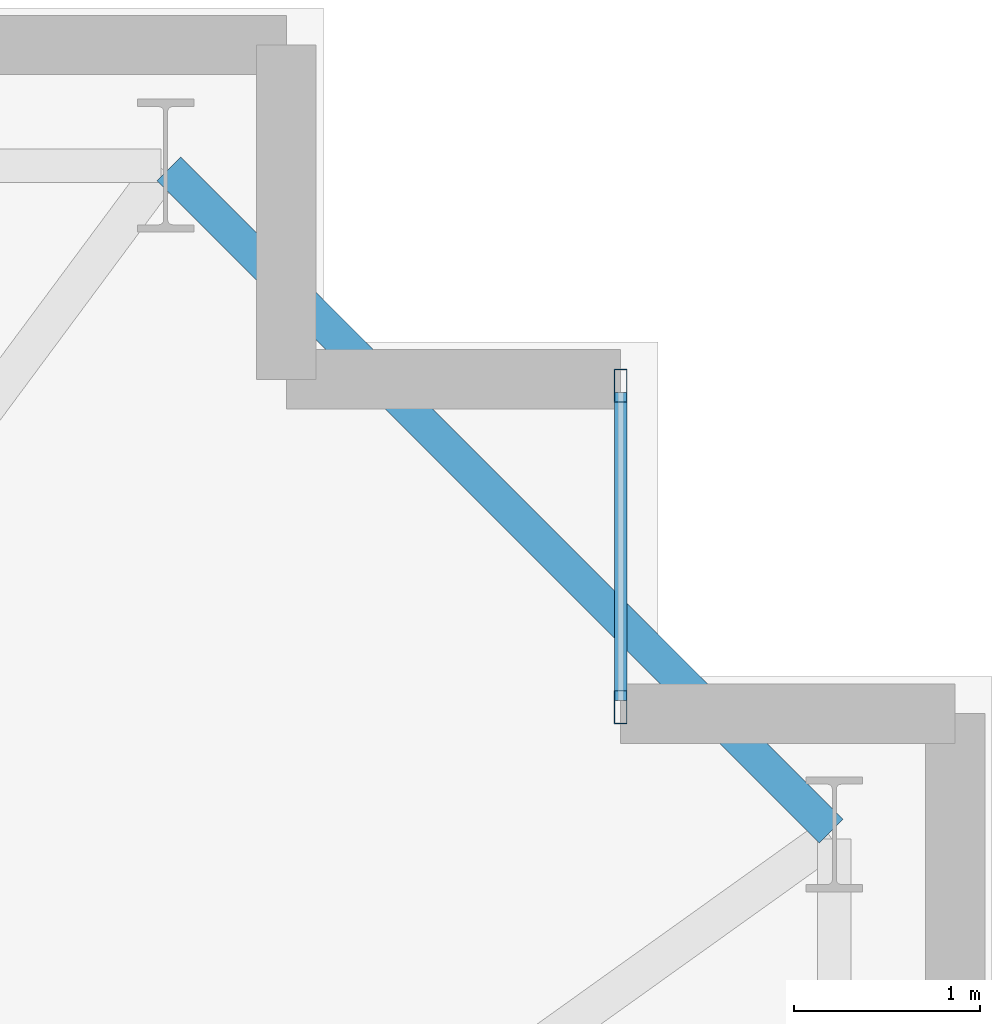
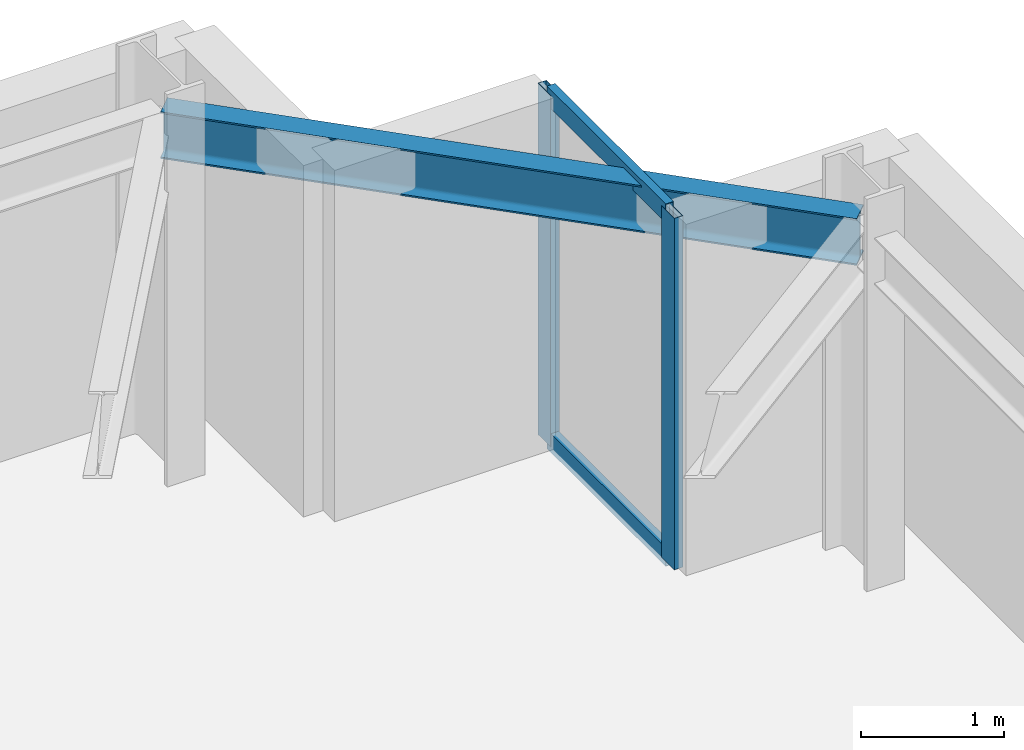
# One storey, part 12 of 20: 4 members, 1 beam, 1 element without a shape of its own.
"""IFC4 building model written with IfcOpenShell, lengths in metres."""

from ifc_helpers import new_model, si_unit, direction, frame, origin, origin_2d, place, context, subcontext, project, spatial, hollow_rectangle, i_section, extrude, material, layer, layer_set, material_profile, profile_set, type_object, element, aggregate, save


model = new_model("IFC4")

# Units and contexts
model_context = context("Model", 3, precision=1e-05, world=origin(), true_north=direction((0.0, 1.0)))
body_context = subcontext(model_context, "Body", "Model", "MODEL_VIEW")
ifc_project = project(units=[si_unit("LENGTHUNIT", "METRE"), si_unit("AREAUNIT", "SQUARE_METRE"), si_unit("VOLUMEUNIT", "CUBIC_METRE"), si_unit("PLANEANGLEUNIT", "RADIAN"), si_unit("MASSUNIT", "GRAM", prefix="KILO")], contexts=[model_context])

# Site, building, storey
site_placement = place(None, origin())
site = spatial("IfcSite", under=ifc_project, at=site_placement, CompositionType="ELEMENT")
building_placement = place(site_placement, origin())
building = spatial("IfcBuilding", under=site, at=building_placement, Name="Qobustan Lattice House", CompositionType="ELEMENT")
storey_placement = place(building_placement, frame((0.0, 0.0, 70.550048828125)))
storey = spatial("IfcBuildingStorey", under=building, at=storey_placement, Name="L19", CompositionType="ELEMENT", Elevation=70.550048828125)

# Beam
ifc_material_1 = material(Name="Steel S355", Category="steel")
ifc_material_profile_1 = material_profile(ifc_material_1, i_section(OverallWidth=0.179931640625, OverallDepth=0.39990234375, WebThickness=0.008544921875, FlangeThickness=0.013427734375, FilletRadius=0.02099609375, at=origin_2d()), Name="IPE400")
ifc_profile_set_1 = profile_set([ifc_material_profile_1], Name="Steel S355")
beam_type = type_object("IfcBeamType", Name="BM-SPD-IPE400", PredefinedType="SPANDREL", material=ifc_profile_set_1)
beam_placement = place(storey_placement, frame((32.13232421875, 15.167724609375, 2.800048828125), z_axis=(-0.707106781187, 0.707106781187, 0.0), x_axis=(-0.707106781187, -0.707106781187, 0.0)))
element("IfcBeam", 1, at=beam_placement, inside=storey, type_object=beam_type, Name="L19 perimeter spandrel E4-N1", PredefinedType="SPANDREL", context=body_context, shape_type="SweptSolid", body=[
    extrude(i_section(OverallWidth=0.179931640625, OverallDepth=0.39990234375, WebThickness=0.008544921875, FlangeThickness=0.013427734375, FilletRadius=0.02099609375, at=origin_2d()), origin(), (0.0, 0.0, 1.0), 5.041259765625),
])

# Curtain wall, members
ifc_material_2 = material(Name="Anodised aluminium and low-E glazing", Category="aluminium")
ifc_layer = layer(ifc_material_2, 0.219970703125)
ifc_layer_set = layer_set([ifc_layer], Name="Anodised aluminium and low-E glazing")
curtain_wall_type = type_object("IfcCurtainWallType", Name="CW-FAC-01", PredefinedType="USERDEFINED", material=ifc_layer_set)
curtain_wall_placement = place(storey_placement, origin())
curtain_wall = element("IfcCurtainWall", 2, at=curtain_wall_placement, inside=storey, type_object=curtain_wall_type, Name="L19 serrated corner faceted glazing 13", ObjectType="CURTAIN WALL", PredefinedType="USERDEFINED")
ifc_material_3 = material(Name="Anodised aluminium EN AW-6063 T6", Category="aluminium")
ifc_material_profile_2 = material_profile(ifc_material_3, hollow_rectangle(XDim=0.070068359375, YDim=0.179931640625, WallThickness=0.00439453125, at=origin_2d()), Name="CWM-180x70")
ifc_profile_set_2 = profile_set([ifc_material_profile_2], Name="Anodised aluminium EN AW-6063 T6")
member_type_1 = type_object("IfcMemberType", Name="CWM-STD-180", PredefinedType="MULLION", material=ifc_profile_set_2)
member_1_placement = place(storey_placement, frame((31.0, 17.56494140625, 0.0), z_axis=(0.0, 0.0, 1.0), x_axis=(1.0, 0.0, 0.0)))
member_1 = element("IfcMember", 3, at=member_1_placement, type_object=member_type_1, Name="CW-F1 mullion 1", PredefinedType="MULLION", context=body_context, shape_type="SweptSolid", body=[
    extrude(hollow_rectangle(XDim=0.070068359375, YDim=0.179931640625, WallThickness=0.00439453125, at=origin_2d()), origin(), (0.0, 0.0, 1.0), 3.0),
])
member_2_placement = place(storey_placement, frame((31.0, 15.8349609375, 0.0), z_axis=(0.0, 0.0, 1.0), x_axis=(1.0, 0.0, 0.0)))
member_2 = element("IfcMember", 4, at=member_2_placement, type_object=member_type_1, Name="CW-F1 mullion 2", PredefinedType="MULLION", context=body_context, shape_type="SweptSolid", body=[
    extrude(hollow_rectangle(XDim=0.070068359375, YDim=0.179931640625, WallThickness=0.00439453125, at=origin_2d()), origin(), (0.0, 0.0, 1.0), 3.0),
])
ifc_material_4 = material(Name="Anodised aluminium EN AW-6063 T6", Category="aluminium")
ifc_material_profile_3 = material_profile(ifc_material_4, hollow_rectangle(XDim=0.06494140625, YDim=0.159912109375, WallThickness=0.00390625, at=origin_2d()), Name="CWT-160x65")
ifc_profile_set_3 = profile_set([ifc_material_profile_3], Name="Anodised aluminium EN AW-6063 T6")
member_type_2 = type_object("IfcMemberType", Name="CWT-HOR-160", PredefinedType="USERDEFINED", material=ifc_profile_set_3)
member_3_placement = place(storey_placement, frame((31.0, 17.530029296875, 0.032470703125), z_axis=(0.0, -1.0, 0.0), x_axis=(1.0, 0.0, 0.0)))
member_3 = element("IfcMember", 5, at=member_3_placement, type_object=member_type_2, Name="CW-F1 transom 1.1", ObjectType="TRANSOM", PredefinedType="USERDEFINED", context=body_context, shape_type="SweptSolid", body=[
    extrude(hollow_rectangle(XDim=0.06494140625, YDim=0.159912109375, WallThickness=0.00390625, at=origin_2d()), origin(), (0.0, 0.0, 1.0), 1.659912109375),
])
member_4_placement = place(storey_placement, frame((31.0, 17.530029296875, 2.967529296875), z_axis=(0.0, -1.0, 0.0), x_axis=(1.0, 0.0, 0.0)))
member_4 = element("IfcMember", 6, at=member_4_placement, type_object=member_type_2, Name="CW-F1 transom 1.2", ObjectType="TRANSOM", PredefinedType="USERDEFINED", context=body_context, shape_type="SweptSolid", body=[
    extrude(hollow_rectangle(XDim=0.06494140625, YDim=0.159912109375, WallThickness=0.00390625, at=origin_2d()), origin(), (0.0, 0.0, 1.0), 1.659912109375),
])
aggregate(curtain_wall, [member_1, member_2, member_3, member_4])

save(model, "model.ifc")
